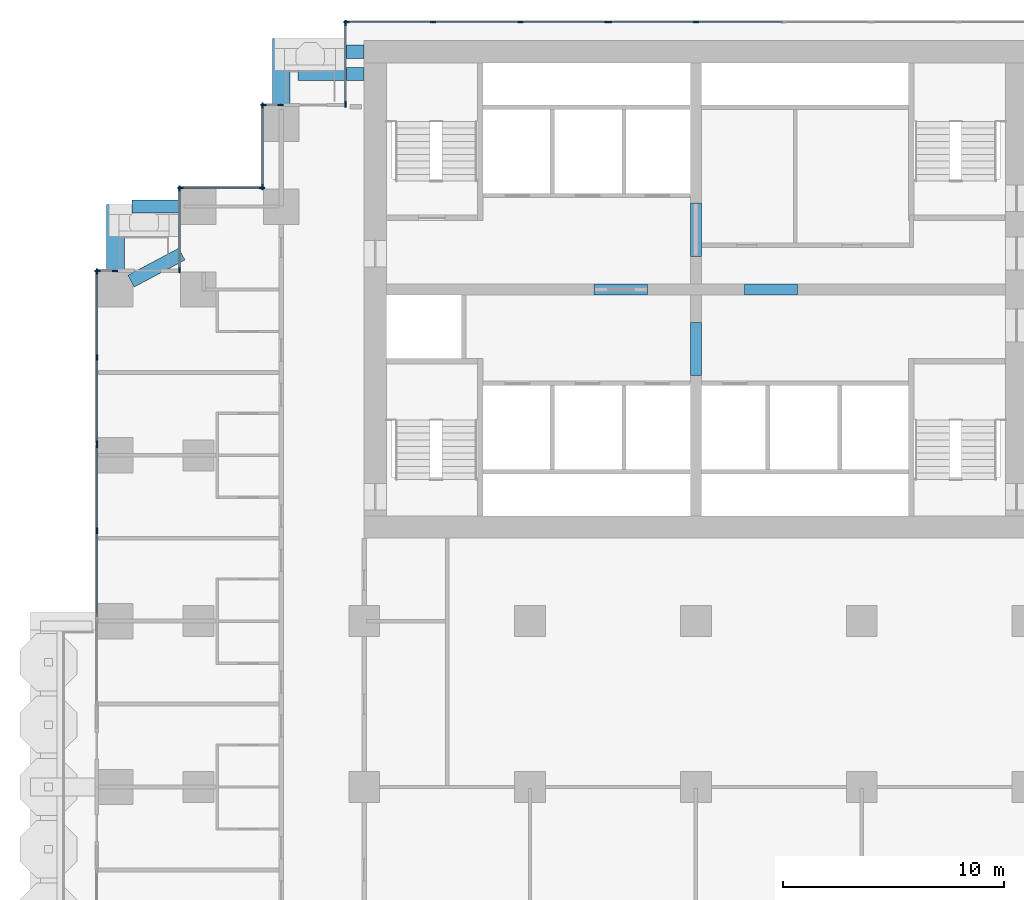
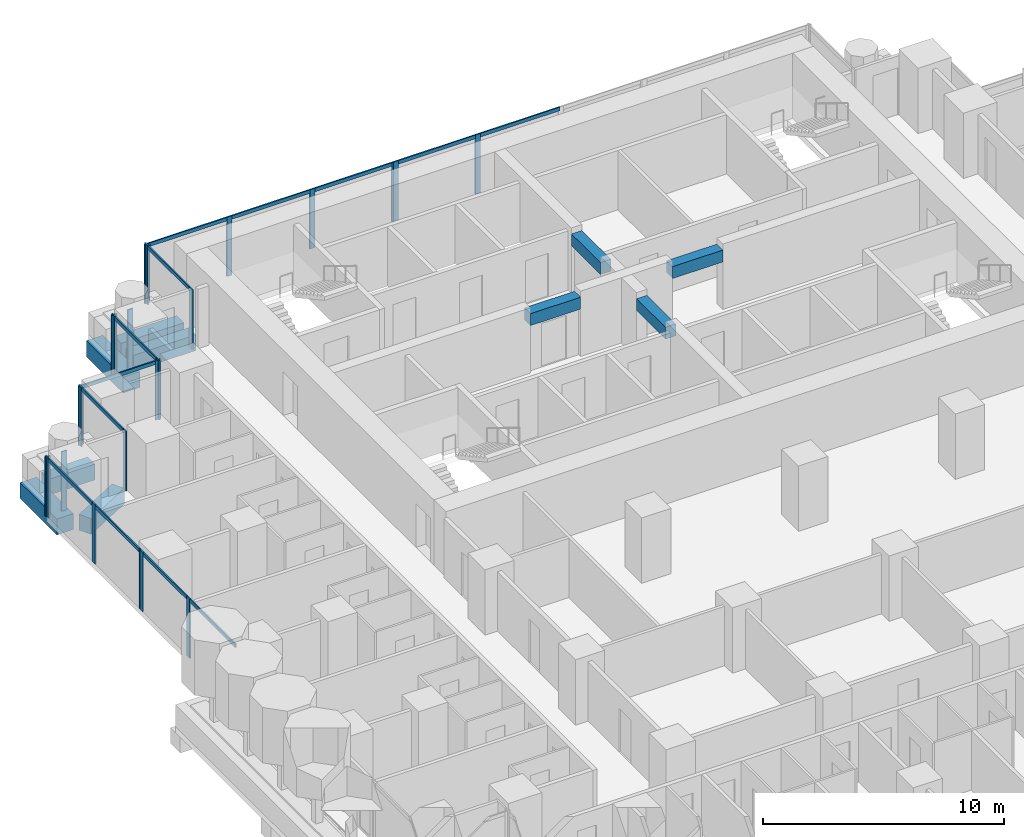
# One storey, part 4 of 19: 36 members, 10 beams, 10 elements without a shape of their own.
"""IFC4 building model written with IfcOpenShell, lengths in metres."""

from ifc_helpers import new_model, si_unit, direction, frame, origin, origin_2d, place, context, subcontext, project, spatial, rectangle, extrude, material, material_profile, profile_set, type_object, element, aggregate, save


model = new_model("IFC4")

# Units and contexts
model_context = context("Model", 3, precision=1e-05, world=origin(), true_north=direction((0.0, 1.0)))
body_context = subcontext(model_context, "Body", "Model", "MODEL_VIEW")
ifc_project = project(units=[si_unit("LENGTHUNIT", "METRE"), si_unit("AREAUNIT", "SQUARE_METRE"), si_unit("VOLUMEUNIT", "CUBIC_METRE"), si_unit("PLANEANGLEUNIT", "RADIAN"), si_unit("MASSUNIT", "GRAM", prefix="KILO")], contexts=[model_context])

# Site, building, storey
site_placement = place(None, origin())
site = spatial("IfcSite", under=ifc_project, at=site_placement, CompositionType="ELEMENT")
building_placement = place(site_placement, origin())
building = spatial("IfcBuilding", under=site, at=building_placement, Name="Pilkhan Gate Tower", CompositionType="ELEMENT")
storey_placement = place(building_placement, frame((0.0, 0.0, 39.5)))
storey = spatial("IfcBuildingStorey", under=building, at=storey_placement, Name="L06", CompositionType="ELEMENT", Elevation=39.5)

# Beams
ifc_material_1 = material(Name="Concrete C50/60", Category="concrete")
ifc_material_profile_1 = material_profile(ifc_material_1, rectangle(XDim=0.60009765625, YDim=0.800048828125, at=origin_2d()), Name="RC 600x800")
ifc_profile_set_1 = profile_set([ifc_material_profile_1], Name="Concrete C50/60")
beam_type_1 = type_object("IfcBeamType", Name="Cantilever beam CB1 RC 600x800 C50/60", PredefinedType="BEAM", material=ifc_profile_set_1)
for number, where, z_axis, x_axis, name in (
    (1, (60.0, 93.25, -0.699951171875), (-1.0, 0.0, 0.0), (0.0, -1.0, 0.0), "Balcony beam NW.2 L06"),
    (2, (60.0, 92.25, -0.699951171875), (-1.0, 0.0, 0.0), (0.0, -1.0, 0.0), "Balcony beam NW.3 L06"),
):
    element("IfcBeam", number, at=place(storey_placement, frame(where, z_axis=z_axis, x_axis=x_axis)), inside=storey, type_object=beam_type_1, Name=name, PredefinedType="BEAM", context=body_context, shape_type="SweptSolid", body=[
        extrude(rectangle(XDim=0.60009765625, YDim=0.800048828125, at=origin_2d()), origin(), (0.0, 0.0, 1.0), 3.0),
    ])
beam_1_placement = place(storey_placement, frame((51.699951171875, 86.25, -0.699951171875), z_axis=(-1.0, 0.0, 0.0), x_axis=(0.0, -1.0, 0.0)))
element("IfcBeam", 3, at=beam_1_placement, inside=storey, type_object=beam_type_1, Name="Balcony beam NW2.2 L06", PredefinedType="BEAM", context=body_context, shape_type="SweptSolid", body=[
    extrude(rectangle(XDim=0.60009765625, YDim=0.800048828125, at=origin_2d()), origin(), (0.0, 0.0, 1.0), 2.199951171875),
])
beam_2_placement = place(storey_placement, frame((49.455810546875, 82.87646484375, -0.699951171875), z_axis=(0.882342544151, 0.470607729199, 0.0), x_axis=(-0.470607729199, 0.882342544151, 0.0)))
element("IfcBeam", 4, at=beam_2_placement, inside=storey, type_object=beam_type_1, Name="Balcony beam NW2.3 L06", PredefinedType="BEAM", context=body_context, shape_type="SweptSolid", body=[
    extrude(rectangle(XDim=0.60009765625, YDim=0.800048828125, at=origin_2d()), origin(), (0.0, 0.0, 1.0), 2.60009765625),
])
ifc_material_profile_2 = material_profile(ifc_material_1, rectangle(XDim=0.800048828125, YDim=0.800048828125, at=origin_2d()), Name="RC 800x800")
ifc_profile_set_2 = profile_set([ifc_material_profile_2], Name="Concrete C50/60")
beam_type_2 = type_object("IfcBeamType", Name="Cantilever beam CB2 RC 800x800 C50/60", PredefinedType="BEAM", material=ifc_profile_set_2)
for number, where, z_axis, x_axis, name in (
    (5, (56.25, 90.800048828125, -0.699951171875), (0.0, 1.0, 0.0), (-1.0, 0.0, 0.0), "Balcony beam NW.1 L06"),
    (6, (48.75, 83.300048828125, -0.699951171875), (0.0, 1.0, 0.0), (-1.0, 0.0, 0.0), "Balcony beam NW2.1 L06"),
):
    element("IfcBeam", number, at=place(storey_placement, frame(where, z_axis=z_axis, x_axis=x_axis)), inside=storey, type_object=beam_type_2, Name=name, PredefinedType="BEAM", context=body_context, shape_type="SweptSolid", body=[
        extrude(rectangle(XDim=0.800048828125, YDim=0.800048828125, at=origin_2d()), origin(), (0.0, 0.0, 1.0), 3.050048828125),
    ])
ifc_material_2 = material(Name="Concrete C70/85", Category="concrete")
ifc_material_profile_3 = material_profile(ifc_material_2, rectangle(XDim=0.5, YDim=0.60009765625, at=origin_2d()), Name="RC 500x600")
ifc_profile_set_3 = profile_set([ifc_material_profile_3], Name="Concrete C70/85")
beam_type_3 = type_object("IfcBeamType", Name="Coupling beam CB60 RC 500x600 C70/85", PredefinedType="LINTEL", material=ifc_profile_set_3)
for number, where, z_axis, x_axis, name in (
    (7, (70.39990234375, 82.5, 2.699951171875), (1.0, 0.0, 0.0), (0.0, 1.0, 0.0), "Coupling beam 1 L06"),
    (8, (77.199951171875, 82.5, 2.699951171875), (1.0, 0.0, 0.0), (0.0, 1.0, 0.0), "Coupling beam 2 L06"),
):
    element("IfcBeam", number, at=place(storey_placement, frame(where, z_axis=z_axis, x_axis=x_axis)), inside=storey, type_object=beam_type_3, Name=name, PredefinedType="LINTEL", context=body_context, shape_type="SweptSolid", body=[
        extrude(rectangle(XDim=0.5, YDim=0.60009765625, at=origin_2d()), origin(), (0.0, 0.0, 1.0), 2.400146484375),
    ])
for number, where, z_axis, x_axis, name in (
    (9, (75.0, 78.60009765625, 2.699951171875), (0.0, 1.0, 0.0), (-1.0, 0.0, 0.0), "Coupling beam 3 L06"),
    (10, (75.0, 84.0, 2.699951171875), (0.0, 1.0, 0.0), (-1.0, 0.0, 0.0), "Coupling beam 4 L06"),
):
    element("IfcBeam", number, at=place(storey_placement, frame(where, z_axis=z_axis, x_axis=x_axis)), inside=storey, type_object=beam_type_3, Name=name, PredefinedType="LINTEL", context=body_context, shape_type="SweptSolid", body=[
        extrude(rectangle(XDim=0.5, YDim=0.60009765625, at=origin_2d()), origin(), (0.0, 0.0, 1.0), 2.39990234375),
    ])

# Curtain wall, members
ifc_material_3 = material(Name="Pale anodised aluminium, clear low-iron double glazing", Category="aluminium")
curtain_wall_type = type_object("IfcCurtainWallType", Name="Hotel unitised curtain wall CW-H", PredefinedType="USERDEFINED", material=ifc_material_3)
curtain_wall_1_placement = place(storey_placement, origin())
curtain_wall_1 = element("IfcCurtainWall", 11, at=curtain_wall_1_placement, inside=storey, type_object=curtain_wall_type, Name="Hotel unitised curtain wall CW-H L06 N", ObjectType="UNITISED CURTAIN WALL", PredefinedType="USERDEFINED")
ifc_material_4 = material(Name="Pale anodised aluminium", Category="aluminium")
ifc_material_profile_4 = material_profile(ifc_material_4, rectangle(XDim=0.06494140625, YDim=0.25, at=origin_2d()), Name="Mullion 250x65")
ifc_profile_set_4 = profile_set([ifc_material_profile_4], Name="Pale anodised aluminium")
member_type_1 = type_object("IfcMemberType", Name="Mullion CW-H 250x65", PredefinedType="MULLION", material=ifc_profile_set_4)
member_1_placement = place(storey_placement, frame((59.1875, 94.594970703125, 0.0), z_axis=(0.0, 0.0, 1.0), x_axis=(0.0, 1.0, 0.0)))
member_1 = element("IfcMember", 12, at=member_1_placement, type_object=member_type_1, Name="CW-H mullion 1", PredefinedType="MULLION", context=body_context, shape_type="SweptSolid", body=[
    extrude(rectangle(XDim=0.06494140625, YDim=0.25, at=origin_2d()), origin(), (0.0, 0.0, 1.0), 3.0),
])
member_2_placement = place(storey_placement, frame((63.1162109375, 94.594970703125, 0.0), z_axis=(0.0, 0.0, 1.0), x_axis=(0.0, 1.0, 0.0)))
member_2 = element("IfcMember", 13, at=member_2_placement, type_object=member_type_1, Name="CW-H mullion 2", PredefinedType="MULLION", context=body_context, shape_type="SweptSolid", body=[
    extrude(rectangle(XDim=0.06494140625, YDim=0.25, at=origin_2d()), origin(), (0.0, 0.0, 1.0), 3.0),
])
member_3_placement = place(storey_placement, frame((67.077392578125, 94.594970703125, 0.0), z_axis=(0.0, 0.0, 1.0), x_axis=(0.0, 1.0, 0.0)))
member_3 = element("IfcMember", 14, at=member_3_placement, type_object=member_type_1, Name="CW-H mullion 3", PredefinedType="MULLION", context=body_context, shape_type="SweptSolid", body=[
    extrude(rectangle(XDim=0.06494140625, YDim=0.25, at=origin_2d()), origin(), (0.0, 0.0, 1.0), 3.0),
])
member_4_placement = place(storey_placement, frame((71.00634765625, 94.594970703125, 0.0), z_axis=(0.0, 0.0, 1.0), x_axis=(0.0, 1.0, 0.0)))
member_4 = element("IfcMember", 15, at=member_4_placement, type_object=member_type_1, Name="CW-H mullion 4", PredefinedType="MULLION", context=body_context, shape_type="SweptSolid", body=[
    extrude(rectangle(XDim=0.06494140625, YDim=0.25, at=origin_2d()), origin(), (0.0, 0.0, 1.0), 3.0),
])

curtain_wall_2_placement = place(storey_placement, origin())
curtain_wall_2 = element("IfcCurtainWall", 16, at=curtain_wall_2_placement, inside=storey, type_object=curtain_wall_type, Name="Hotel unitised curtain wall CW-H L06 N", ObjectType="UNITISED CURTAIN WALL", PredefinedType="USERDEFINED")
member_5_placement = place(storey_placement, frame((71.0712890625, 94.594970703125, 0.0), z_axis=(0.0, 0.0, 1.0), x_axis=(0.0, 1.0, 0.0)))
member_5 = element("IfcMember", 17, at=member_5_placement, type_object=member_type_1, Name="CW-H mullion 1", PredefinedType="MULLION", context=body_context, shape_type="SweptSolid", body=[
    extrude(rectangle(XDim=0.06494140625, YDim=0.25, at=origin_2d()), origin(), (0.0, 0.0, 1.0), 3.0),
])
member_6_placement = place(storey_placement, frame((75.0, 94.594970703125, 0.0), z_axis=(0.0, 0.0, 1.0), x_axis=(0.0, 1.0, 0.0)))
member_6 = element("IfcMember", 18, at=member_6_placement, type_object=member_type_1, Name="CW-H mullion 2", PredefinedType="MULLION", context=body_context, shape_type="SweptSolid", body=[
    extrude(rectangle(XDim=0.06494140625, YDim=0.25, at=origin_2d()), origin(), (0.0, 0.0, 1.0), 3.0),
])

curtain_wall_3_placement = place(storey_placement, origin())
curtain_wall_3 = element("IfcCurtainWall", 19, at=curtain_wall_3_placement, inside=storey, type_object=curtain_wall_type, Name="Hotel unitised curtain wall CW-H L06 W", ObjectType="UNITISED CURTAIN WALL", PredefinedType="USERDEFINED")
member_7_placement = place(storey_placement, frame((59.155029296875, 90.87744140625, 0.0), z_axis=(0.0, 0.0, 1.0), x_axis=(-1.0, 0.0, 0.0)))
member_7 = element("IfcMember", 20, at=member_7_placement, type_object=member_type_1, Name="CW-H mullion 1", PredefinedType="MULLION", context=body_context, shape_type="SweptSolid", body=[
    extrude(rectangle(XDim=0.06494140625, YDim=0.25, at=origin_2d()), origin(), (0.0, 0.0, 1.0), 3.0),
])
member_8_placement = place(storey_placement, frame((59.155029296875, 94.5625, 0.0), z_axis=(0.0, 0.0, 1.0), x_axis=(-1.0, 0.0, 0.0)))
member_8 = element("IfcMember", 21, at=member_8_placement, type_object=member_type_1, Name="CW-H mullion 2", PredefinedType="MULLION", context=body_context, shape_type="SweptSolid", body=[
    extrude(rectangle(XDim=0.06494140625, YDim=0.25, at=origin_2d()), origin(), (0.0, 0.0, 1.0), 3.0),
])

curtain_wall_4_placement = place(storey_placement, origin())
curtain_wall_4 = element("IfcCurtainWall", 22, at=curtain_wall_4_placement, inside=storey, type_object=curtain_wall_type, Name="Hotel unitised curtain wall CW-H L06 N", ObjectType="UNITISED CURTAIN WALL", PredefinedType="USERDEFINED")
member_9_placement = place(storey_placement, frame((55.4375, 90.844970703125, 0.0), z_axis=(0.0, 0.0, 1.0), x_axis=(0.0, 1.0, 0.0)))
member_9 = element("IfcMember", 23, at=member_9_placement, type_object=member_type_1, Name="CW-H mullion 1", PredefinedType="MULLION", context=body_context, shape_type="SweptSolid", body=[
    extrude(rectangle(XDim=0.06494140625, YDim=0.25, at=origin_2d()), origin(), (0.0, 0.0, 1.0), 3.0),
])
member_10_placement = place(storey_placement, frame((56.217529296875, 90.844970703125, 0.0), z_axis=(0.0, 0.0, 1.0), x_axis=(0.0, 1.0, 0.0)))
member_10 = element("IfcMember", 24, at=member_10_placement, type_object=member_type_1, Name="CW-H mullion 2", PredefinedType="MULLION", context=body_context, shape_type="SweptSolid", body=[
    extrude(rectangle(XDim=0.06494140625, YDim=0.25, at=origin_2d()), origin(), (0.0, 0.0, 1.0), 3.0),
])
aggregate(curtain_wall_4, [member_9, member_10])

curtain_wall_5_placement = place(storey_placement, origin())
curtain_wall_5 = element("IfcCurtainWall", 25, at=curtain_wall_5_placement, inside=storey, type_object=curtain_wall_type, Name="Hotel unitised curtain wall CW-H L06 W", ObjectType="UNITISED CURTAIN WALL", PredefinedType="USERDEFINED")
member_11_placement = place(storey_placement, frame((55.405029296875, 87.12744140625, 0.0), z_axis=(0.0, 0.0, 1.0), x_axis=(-1.0, 0.0, 0.0)))
member_11 = element("IfcMember", 26, at=member_11_placement, type_object=member_type_1, Name="CW-H mullion 1", PredefinedType="MULLION", context=body_context, shape_type="SweptSolid", body=[
    extrude(rectangle(XDim=0.06494140625, YDim=0.25, at=origin_2d()), origin(), (0.0, 0.0, 1.0), 3.0),
])
member_12_placement = place(storey_placement, frame((55.405029296875, 90.8125, 0.0), z_axis=(0.0, 0.0, 1.0), x_axis=(-1.0, 0.0, 0.0)))
member_12 = element("IfcMember", 27, at=member_12_placement, type_object=member_type_1, Name="CW-H mullion 2", PredefinedType="MULLION", context=body_context, shape_type="SweptSolid", body=[
    extrude(rectangle(XDim=0.06494140625, YDim=0.25, at=origin_2d()), origin(), (0.0, 0.0, 1.0), 3.0),
])

curtain_wall_6_placement = place(storey_placement, origin())
curtain_wall_6 = element("IfcCurtainWall", 28, at=curtain_wall_6_placement, inside=storey, type_object=curtain_wall_type, Name="Hotel unitised curtain wall CW-H L06 N", ObjectType="UNITISED CURTAIN WALL", PredefinedType="USERDEFINED")
member_13_placement = place(storey_placement, frame((51.6875, 87.094970703125, 0.0), z_axis=(0.0, 0.0, 1.0), x_axis=(0.0, 1.0, 0.0)))
member_13 = element("IfcMember", 29, at=member_13_placement, type_object=member_type_1, Name="CW-H mullion 1", PredefinedType="MULLION", context=body_context, shape_type="SweptSolid", body=[
    extrude(rectangle(XDim=0.06494140625, YDim=0.25, at=origin_2d()), origin(), (0.0, 0.0, 1.0), 3.0),
])
member_14_placement = place(storey_placement, frame((55.37255859375, 87.094970703125, 0.0), z_axis=(0.0, 0.0, 1.0), x_axis=(0.0, 1.0, 0.0)))
member_14 = element("IfcMember", 30, at=member_14_placement, type_object=member_type_1, Name="CW-H mullion 2", PredefinedType="MULLION", context=body_context, shape_type="SweptSolid", body=[
    extrude(rectangle(XDim=0.06494140625, YDim=0.25, at=origin_2d()), origin(), (0.0, 0.0, 1.0), 3.0),
])

curtain_wall_7_placement = place(storey_placement, origin())
curtain_wall_7 = element("IfcCurtainWall", 31, at=curtain_wall_7_placement, inside=storey, type_object=curtain_wall_type, Name="Hotel unitised curtain wall CW-H L06 W", ObjectType="UNITISED CURTAIN WALL", PredefinedType="USERDEFINED")
member_15_placement = place(storey_placement, frame((51.655029296875, 83.37744140625, 0.0), z_axis=(0.0, 0.0, 1.0), x_axis=(-1.0, 0.0, 0.0)))
member_15 = element("IfcMember", 32, at=member_15_placement, type_object=member_type_1, Name="CW-H mullion 1", PredefinedType="MULLION", context=body_context, shape_type="SweptSolid", body=[
    extrude(rectangle(XDim=0.06494140625, YDim=0.25, at=origin_2d()), origin(), (0.0, 0.0, 1.0), 3.0),
])
member_16_placement = place(storey_placement, frame((51.655029296875, 87.0625, 0.0), z_axis=(0.0, 0.0, 1.0), x_axis=(-1.0, 0.0, 0.0)))
member_16 = element("IfcMember", 33, at=member_16_placement, type_object=member_type_1, Name="CW-H mullion 2", PredefinedType="MULLION", context=body_context, shape_type="SweptSolid", body=[
    extrude(rectangle(XDim=0.06494140625, YDim=0.25, at=origin_2d()), origin(), (0.0, 0.0, 1.0), 3.0),
])

curtain_wall_8_placement = place(storey_placement, origin())
curtain_wall_8 = element("IfcCurtainWall", 34, at=curtain_wall_8_placement, inside=storey, type_object=curtain_wall_type, Name="Hotel unitised curtain wall CW-H L06 N", ObjectType="UNITISED CURTAIN WALL", PredefinedType="USERDEFINED")
member_17_placement = place(storey_placement, frame((47.9375, 83.344970703125, 0.0), z_axis=(0.0, 0.0, 1.0), x_axis=(0.0, 1.0, 0.0)))
member_17 = element("IfcMember", 35, at=member_17_placement, type_object=member_type_1, Name="CW-H mullion 1", PredefinedType="MULLION", context=body_context, shape_type="SweptSolid", body=[
    extrude(rectangle(XDim=0.06494140625, YDim=0.25, at=origin_2d()), origin(), (0.0, 0.0, 1.0), 3.0),
])
member_18_placement = place(storey_placement, frame((48.717529296875, 83.344970703125, 0.0), z_axis=(0.0, 0.0, 1.0), x_axis=(0.0, 1.0, 0.0)))
member_18 = element("IfcMember", 36, at=member_18_placement, type_object=member_type_1, Name="CW-H mullion 2", PredefinedType="MULLION", context=body_context, shape_type="SweptSolid", body=[
    extrude(rectangle(XDim=0.06494140625, YDim=0.25, at=origin_2d()), origin(), (0.0, 0.0, 1.0), 3.0),
])
aggregate(curtain_wall_8, [member_17, member_18])

curtain_wall_9_placement = place(storey_placement, origin())
curtain_wall_9 = element("IfcCurtainWall", 37, at=curtain_wall_9_placement, inside=storey, type_object=curtain_wall_type, Name="Hotel unitised curtain wall CW-H L06 W", ObjectType="UNITISED CURTAIN WALL", PredefinedType="USERDEFINED")
member_19_placement = place(storey_placement, frame((47.905029296875, 71.587890625, 0.0), z_axis=(0.0, 0.0, 1.0), x_axis=(-1.0, 0.0, 0.0)))
member_19 = element("IfcMember", 38, at=member_19_placement, type_object=member_type_1, Name="CW-H mullion 3", PredefinedType="MULLION", context=body_context, shape_type="SweptSolid", body=[
    extrude(rectangle(XDim=0.06494140625, YDim=0.25, at=origin_2d()), origin(), (0.0, 0.0, 1.0), 3.0),
])
member_20_placement = place(storey_placement, frame((47.905029296875, 75.474609375, 0.0), z_axis=(0.0, 0.0, 1.0), x_axis=(-1.0, 0.0, 0.0)))
member_20 = element("IfcMember", 39, at=member_20_placement, type_object=member_type_1, Name="CW-H mullion 4", PredefinedType="MULLION", context=body_context, shape_type="SweptSolid", body=[
    extrude(rectangle(XDim=0.06494140625, YDim=0.25, at=origin_2d()), origin(), (0.0, 0.0, 1.0), 3.0),
])

curtain_wall_10_placement = place(storey_placement, origin())
curtain_wall_10 = element("IfcCurtainWall", 40, at=curtain_wall_10_placement, inside=storey, type_object=curtain_wall_type, Name="Hotel unitised curtain wall CW-H L06 W", ObjectType="UNITISED CURTAIN WALL", PredefinedType="USERDEFINED")
member_21_placement = place(storey_placement, frame((47.905029296875, 75.53955078125, 0.0), z_axis=(0.0, 0.0, 1.0), x_axis=(-1.0, 0.0, 0.0)))
member_21 = element("IfcMember", 41, at=member_21_placement, type_object=member_type_1, Name="CW-H mullion 1", PredefinedType="MULLION", context=body_context, shape_type="SweptSolid", body=[
    extrude(rectangle(XDim=0.06494140625, YDim=0.25, at=origin_2d()), origin(), (0.0, 0.0, 1.0), 3.0),
])
member_22_placement = place(storey_placement, frame((47.905029296875, 79.426025390625, 0.0), z_axis=(0.0, 0.0, 1.0), x_axis=(-1.0, 0.0, 0.0)))
member_22 = element("IfcMember", 42, at=member_22_placement, type_object=member_type_1, Name="CW-H mullion 2", PredefinedType="MULLION", context=body_context, shape_type="SweptSolid", body=[
    extrude(rectangle(XDim=0.06494140625, YDim=0.25, at=origin_2d()), origin(), (0.0, 0.0, 1.0), 3.0),
])
member_23_placement = place(storey_placement, frame((47.905029296875, 83.3125, 0.0), z_axis=(0.0, 0.0, 1.0), x_axis=(-1.0, 0.0, 0.0)))
member_23 = element("IfcMember", 43, at=member_23_placement, type_object=member_type_1, Name="CW-H mullion 3", PredefinedType="MULLION", context=body_context, shape_type="SweptSolid", body=[
    extrude(rectangle(XDim=0.06494140625, YDim=0.25, at=origin_2d()), origin(), (0.0, 0.0, 1.0), 3.0),
])

# Member
ifc_material_profile_5 = material_profile(ifc_material_4, rectangle(XDim=0.06494140625, YDim=0.179931640625, at=origin_2d()), Name="Transom 180x65")
ifc_profile_set_5 = profile_set([ifc_material_profile_5], Name="Pale anodised aluminium")
member_type_2 = type_object("IfcMemberType", Name="Transom CW-H 180x65", PredefinedType="USERDEFINED", material=ifc_profile_set_5)
member_24_placement = place(storey_placement, frame((59.219970703125, 94.594970703125, 2.909912109375), z_axis=(1.0, 0.0, 0.0), x_axis=(0.0, 1.0, 0.0)))
member_24 = element("IfcMember", 44, at=member_24_placement, type_object=member_type_2, Name="CW-H transom 1", ObjectType="TRANSOM", PredefinedType="USERDEFINED", context=body_context, shape_type="SweptSolid", body=[
    extrude(rectangle(XDim=0.06494140625, YDim=0.179931640625, at=origin_2d()), origin(), (0.0, 0.0, 1.0), 3.86376953125),
])

member_25_placement = place(storey_placement, frame((63.148681640625, 94.594970703125, 2.909912109375), z_axis=(1.0, 0.0, 0.0), x_axis=(0.0, 1.0, 0.0)))
member_25 = element("IfcMember", 45, at=member_25_placement, type_object=member_type_2, Name="CW-H transom 2", ObjectType="TRANSOM", PredefinedType="USERDEFINED", context=body_context, shape_type="SweptSolid", body=[
    extrude(rectangle(XDim=0.06494140625, YDim=0.179931640625, at=origin_2d()), origin(), (0.0, 0.0, 1.0), 3.896240234375),
])

member_26_placement = place(storey_placement, frame((67.110107421875, 94.594970703125, 2.909912109375), z_axis=(1.0, 0.0, 0.0), x_axis=(0.0, 1.0, 0.0)))
member_26 = element("IfcMember", 46, at=member_26_placement, type_object=member_type_2, Name="CW-H transom 3", ObjectType="TRANSOM", PredefinedType="USERDEFINED", context=body_context, shape_type="SweptSolid", body=[
    extrude(rectangle(XDim=0.06494140625, YDim=0.179931640625, at=origin_2d()), origin(), (0.0, 0.0, 1.0), 3.863525390625),
])

aggregate(curtain_wall_1, [member_1, member_2, member_3, member_4, member_24, member_25, member_26])

member_27_placement = place(storey_placement, frame((71.103759765625, 94.594970703125, 2.909912109375), z_axis=(1.0, 0.0, 0.0), x_axis=(0.0, 1.0, 0.0)))
member_27 = element("IfcMember", 47, at=member_27_placement, type_object=member_type_2, Name="CW-H transom 1", ObjectType="TRANSOM", PredefinedType="USERDEFINED", context=body_context, shape_type="SweptSolid", body=[
    extrude(rectangle(XDim=0.06494140625, YDim=0.179931640625, at=origin_2d()), origin(), (0.0, 0.0, 1.0), 3.86376953125),
])

member_28_placement = place(storey_placement, frame((75.032470703125, 94.594970703125, 2.909912109375), z_axis=(1.0, 0.0, 0.0), x_axis=(0.0, 1.0, 0.0)))
member_28 = element("IfcMember", 48, at=member_28_placement, type_object=member_type_2, Name="CW-H transom 2", ObjectType="TRANSOM", PredefinedType="USERDEFINED", context=body_context, shape_type="SweptSolid", body=[
    extrude(rectangle(XDim=0.06494140625, YDim=0.179931640625, at=origin_2d()), origin(), (0.0, 0.0, 1.0), 3.896240234375),
])

aggregate(curtain_wall_2, [member_5, member_6, member_27, member_28])

member_29_placement = place(storey_placement, frame((59.155029296875, 90.909912109375, 2.909912109375), z_axis=(0.0, 1.0, 0.0), x_axis=(-1.0, 0.0, 0.0)))
member_29 = element("IfcMember", 49, at=member_29_placement, type_object=member_type_2, Name="CW-H transom 1", ObjectType="TRANSOM", PredefinedType="USERDEFINED", context=body_context, shape_type="SweptSolid", body=[
    extrude(rectangle(XDim=0.06494140625, YDim=0.179931640625, at=origin_2d()), origin(), (0.0, 0.0, 1.0), 3.6201171875),
])

aggregate(curtain_wall_3, [member_7, member_8, member_29])

member_30_placement = place(storey_placement, frame((55.405029296875, 87.159912109375, 2.909912109375), z_axis=(0.0, 1.0, 0.0), x_axis=(-1.0, 0.0, 0.0)))
member_30 = element("IfcMember", 50, at=member_30_placement, type_object=member_type_2, Name="CW-H transom 1", ObjectType="TRANSOM", PredefinedType="USERDEFINED", context=body_context, shape_type="SweptSolid", body=[
    extrude(rectangle(XDim=0.06494140625, YDim=0.179931640625, at=origin_2d()), origin(), (0.0, 0.0, 1.0), 3.6201171875),
])

aggregate(curtain_wall_5, [member_11, member_12, member_30])

member_31_placement = place(storey_placement, frame((51.719970703125, 87.094970703125, 2.909912109375), z_axis=(1.0, 0.0, 0.0), x_axis=(0.0, 1.0, 0.0)))
member_31 = element("IfcMember", 51, at=member_31_placement, type_object=member_type_2, Name="CW-H transom 1", ObjectType="TRANSOM", PredefinedType="USERDEFINED", context=body_context, shape_type="SweptSolid", body=[
    extrude(rectangle(XDim=0.06494140625, YDim=0.179931640625, at=origin_2d()), origin(), (0.0, 0.0, 1.0), 3.6201171875),
])

aggregate(curtain_wall_6, [member_13, member_14, member_31])

member_32_placement = place(storey_placement, frame((51.655029296875, 83.409912109375, 2.909912109375), z_axis=(0.0, 1.0, 0.0), x_axis=(-1.0, 0.0, 0.0)))
member_32 = element("IfcMember", 52, at=member_32_placement, type_object=member_type_2, Name="CW-H transom 1", ObjectType="TRANSOM", PredefinedType="USERDEFINED", context=body_context, shape_type="SweptSolid", body=[
    extrude(rectangle(XDim=0.06494140625, YDim=0.179931640625, at=origin_2d()), origin(), (0.0, 0.0, 1.0), 3.6201171875),
])

aggregate(curtain_wall_7, [member_15, member_16, member_32])

member_33_placement = place(storey_placement, frame((47.905029296875, 67.701416015625, 2.909912109375), z_axis=(0.0, 1.0, 0.0), x_axis=(-1.0, 0.0, 0.0)))
member_33 = element("IfcMember", 53, at=member_33_placement, type_object=member_type_2, Name="CW-H transom 2", ObjectType="TRANSOM", PredefinedType="USERDEFINED", context=body_context, shape_type="SweptSolid", body=[
    extrude(rectangle(XDim=0.06494140625, YDim=0.179931640625, at=origin_2d()), origin(), (0.0, 0.0, 1.0), 3.85400390625),
])

member_34_placement = place(storey_placement, frame((47.905029296875, 71.62060546875, 2.909912109375), z_axis=(0.0, 1.0, 0.0), x_axis=(-1.0, 0.0, 0.0)))
member_34 = element("IfcMember", 54, at=member_34_placement, type_object=member_type_2, Name="CW-H transom 3", ObjectType="TRANSOM", PredefinedType="USERDEFINED", context=body_context, shape_type="SweptSolid", body=[
    extrude(rectangle(XDim=0.06494140625, YDim=0.179931640625, at=origin_2d()), origin(), (0.0, 0.0, 1.0), 3.8212890625),
])

aggregate(curtain_wall_9, [member_19, member_20, member_33, member_34])

member_35_placement = place(storey_placement, frame((47.905029296875, 75.572021484375, 2.909912109375), z_axis=(0.0, 1.0, 0.0), x_axis=(-1.0, 0.0, 0.0)))
member_35 = element("IfcMember", 55, at=member_35_placement, type_object=member_type_2, Name="CW-H transom 1", ObjectType="TRANSOM", PredefinedType="USERDEFINED", context=body_context, shape_type="SweptSolid", body=[
    extrude(rectangle(XDim=0.06494140625, YDim=0.179931640625, at=origin_2d()), origin(), (0.0, 0.0, 1.0), 3.821533203125),
])

member_36_placement = place(storey_placement, frame((47.905029296875, 79.45849609375, 2.909912109375), z_axis=(0.0, 1.0, 0.0), x_axis=(-1.0, 0.0, 0.0)))
member_36 = element("IfcMember", 56, at=member_36_placement, type_object=member_type_2, Name="CW-H transom 2", ObjectType="TRANSOM", PredefinedType="USERDEFINED", context=body_context, shape_type="SweptSolid", body=[
    extrude(rectangle(XDim=0.06494140625, YDim=0.179931640625, at=origin_2d()), origin(), (0.0, 0.0, 1.0), 3.821533203125),
])

aggregate(curtain_wall_10, [member_21, member_22, member_23, member_35, member_36])

save(model, "model.ifc")
